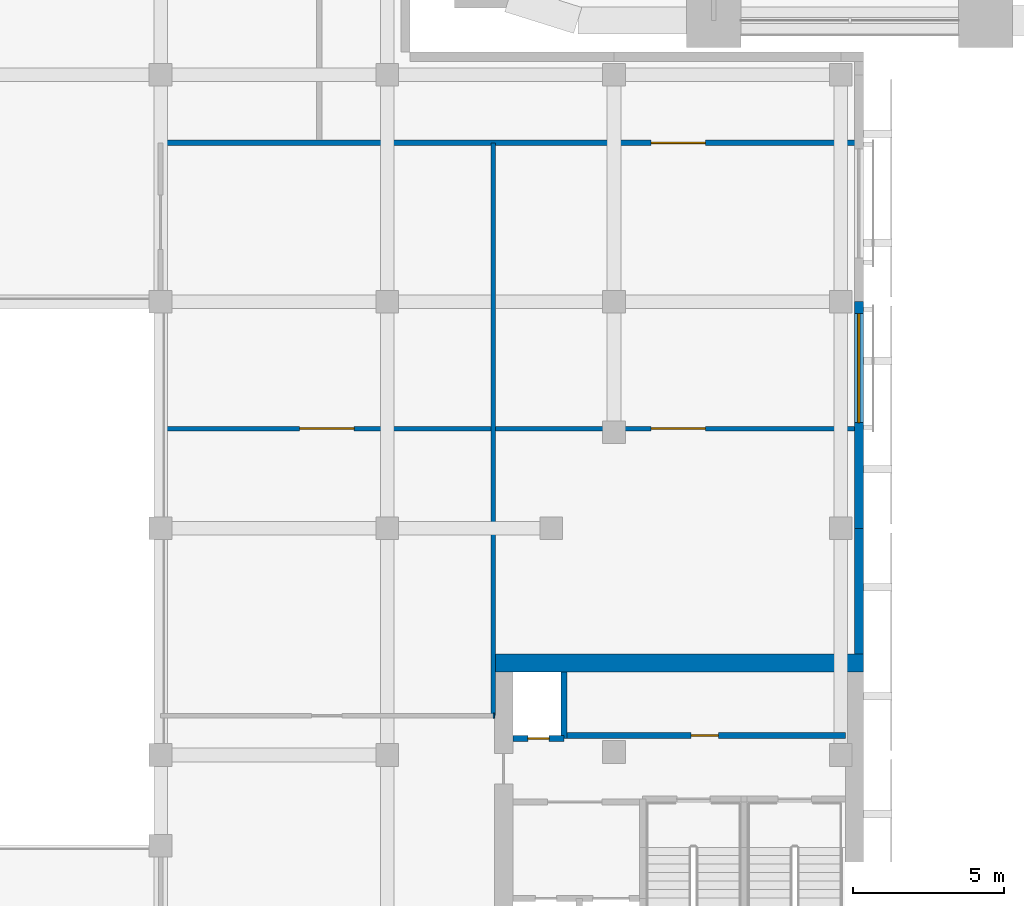
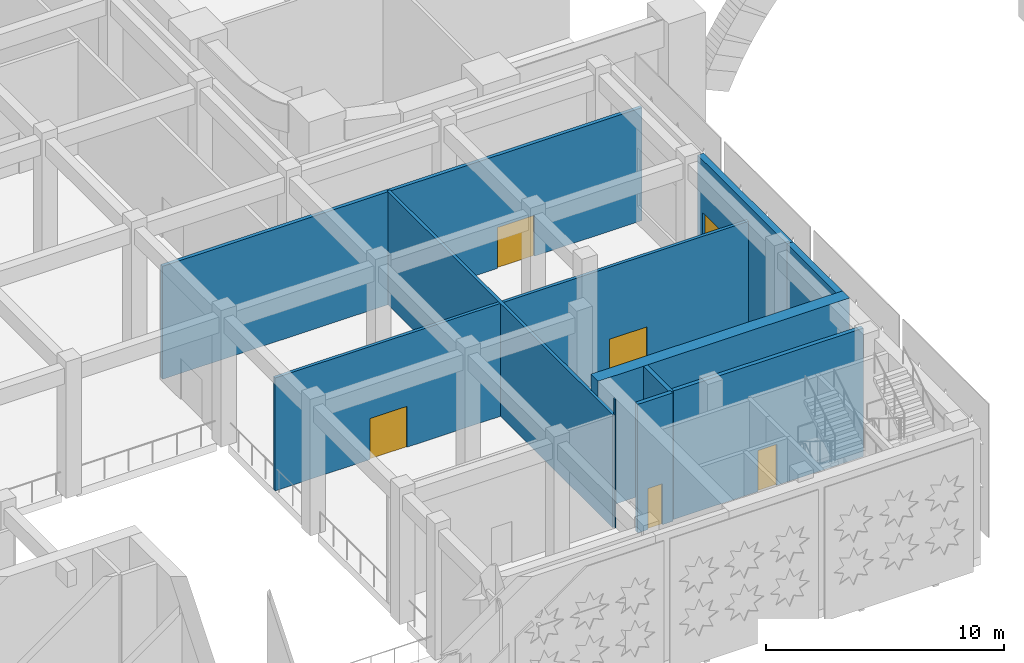
# One storey, part 16 of 42: 10 walls, 5 doors, 1 window, 6 openings.
"""IFC4 building model written with IfcOpenShell, lengths in metres."""

from ifc_helpers import new_model, si_unit, direction, frame, frame_2d, origin, place, context, subcontext, project, spatial, rectangle, extrude, material, layer, layer_set, type_object, element, fill, save


model = new_model("IFC4")

# Units and contexts
model_context = context("Model", 3, precision=1e-05, world=origin(), true_north=direction((0.0, 1.0)))
body_context = subcontext(model_context, "Body", "Model", "MODEL_VIEW")
ifc_project = project(units=[si_unit("LENGTHUNIT", "METRE"), si_unit("AREAUNIT", "SQUARE_METRE"), si_unit("VOLUMEUNIT", "CUBIC_METRE"), si_unit("PLANEANGLEUNIT", "RADIAN"), si_unit("MASSUNIT", "GRAM", prefix="KILO")], contexts=[model_context])

# Site, building, storey
site_placement = place(None, origin())
site = spatial("IfcSite", under=ifc_project, at=site_placement, CompositionType="ELEMENT")
building_placement = place(site_placement, origin())
building = spatial("IfcBuilding", under=site, at=building_placement, Name="Tessera Arch", CompositionType="ELEMENT")
storey_placement = place(building_placement, frame((0.0, 0.0, 14.0)))
storey = spatial("IfcBuildingStorey", under=building, at=storey_placement, Name="L02", CompositionType="ELEMENT", Elevation=14.0)

# Wall, opening, door
ifc_material_1 = material(Name="Gypsum board on steel stud", Category="steel")
ifc_layer_1 = layer(ifc_material_1, 0.125)
ifc_layer_set_1 = layer_set([ifc_layer_1], Name="Core partition 125 EI 60")
wall_type_1 = type_object("IfcWallType", Name="Core partition 125 EI 60", PredefinedType="PARTITIONING", material=ifc_layer_set_1)
wall_1_placement = place(storey_placement, frame((4.050048828125, -23.64990234375, 0.0), z_axis=(0.0, 0.0, 1.0), x_axis=(1.0, 0.0, 0.0)))
wall_1 = element("IfcWall", 1, at=wall_1_placement, inside=storey, type_object=wall_type_1, Name="L02 M3 partition wall 14", PredefinedType="PARTITIONING", context=body_context, shape_type="SweptSolid", body=[
    extrude(rectangle(XDim=9.300048828125, YDim=0.199951171875, at=frame_2d((4.64990234375, 0.0))), origin(), (0.0, 0.0, 1.0), 6.590087890625),
])
opening_1_placement = place(wall_1_placement, frame((4.199951171875, 0.0, 0.0)))
opening_1 = element("IfcOpeningElement", 2, at=opening_1_placement, cuts=wall_1, Name="Opening L02-C68", PredefinedType="OPENING", context=body_context, shape_type="SweptSolid", body=[
    extrude(rectangle(XDim=0.89990234375, YDim=2.10009765625, at=frame_2d((0.449951171875, 1.050048828125))), frame((0.0, 0.10986328125, 0.0), z_axis=(0.0, -1.0, 0.0), x_axis=(1.0, 0.0, 0.0)), (0.0, 0.0, 1.0), 0.219970703125),
])
ifc_material_2 = material(Name="Steel door leaf", Category="steel")
door_type_1 = type_object("IfcDoorType", Name="Store door FD30S 900 x 2100", OperationType="SINGLE_SWING_LEFT", PredefinedType="DOOR", material=ifc_material_2)
door_1_placement = place(opening_1_placement, origin())
door_1 = element("IfcDoor", 3, at=door_1_placement, inside=storey, type_object=door_type_1, Name="L02 M3 door 8 C68 type D09", OperationType="SINGLE_SWING_LEFT", OverallHeight=2.10009765625, OverallWidth=0.89990234375, PredefinedType="DOOR", context=body_context, shape_type="SweptSolid", body=[
    extrude(rectangle(XDim=0.89990234375, YDim=2.10009765625, at=frame_2d((0.449951171875, 1.050048828125))), frame((0.0, 0.02490234375, 0.0), z_axis=(0.0, -1.0, 0.0), x_axis=(1.0, 0.0, 0.0)), (0.0, 0.0, 1.0), 0.050048828125),
])
fill(opening_1, door_1)

# Wall
ifc_material_3 = material(Name="Concrete C70/85", Category="concrete")
ifc_layer_2 = layer(ifc_material_3, 0.60009765625)
ifc_layer_set_2 = layer_set([ifc_layer_2], Name="Core shell wall 600 C70-85")
wall_type_2 = type_object("IfcWallType", Name="Core shell wall 600 C70-85", PredefinedType="SHEAR", material=ifc_layer_set_2)
wall_2_placement = place(storey_placement, frame((1.75, -21.25, 0.0), z_axis=(0.0, 0.0, 1.0), x_axis=(1.0, 0.0, 0.0)))
element("IfcWall", 4, at=wall_2_placement, inside=storey, type_object=wall_type_2, Name="L02 M3 core wall N", PredefinedType="SHEAR", context=body_context, shape_type="SweptSolid", body=[
    extrude(rectangle(XDim=12.199951171875, YDim=0.60009765625, at=frame_2d((6.10009765625, 0.0))), origin(), (0.0, 0.0, 1.0), 6.590087890625),
])

# Wall, opening, door
ifc_material_4 = material(Name="Gypsum board on deep steel stud with mineral wool", Category="steel")
ifc_layer_3 = layer(ifc_material_4, 0.175048828125)
ifc_layer_set_3 = layer_set([ifc_layer_3], Name="Corridor wall 175 EI 60")
wall_type_3 = type_object("IfcWallType", Name="Corridor wall 175 EI 60", PredefinedType="PARTITIONING", material=ifc_layer_set_3)
wall_3_placement = place(storey_placement, frame((-9.300048828125, -4.050048828125, 0.0), z_axis=(0.0, 0.0, 1.0), x_axis=(1.0, 0.0, 0.0)))
wall_3 = element("IfcWall", 5, at=wall_3_placement, inside=storey, type_object=wall_type_3, Name="L02 partition 2", PredefinedType="PARTITIONING", context=body_context, shape_type="SweptSolid", body=[
    extrude(rectangle(XDim=23.25, YDim=0.175048828125, at=frame_2d((11.625, 0.0))), origin(), (0.0, 0.0, 1.0), 5.7900390625),
])
opening_2_placement = place(wall_3_placement, frame((16.22509765625, 0.0, 0.0)))
opening_2 = element("IfcOpeningElement", 6, at=opening_2_placement, cuts=wall_3, Name="Opening L02-D006", PredefinedType="OPENING", context=body_context, shape_type="SweptSolid", body=[
    extrude(rectangle(XDim=1.800048828125, YDim=2.10009765625, at=frame_2d((0.89990234375, 1.050048828125))), frame((0.0, 0.097412109375, 0.0), z_axis=(0.0, -1.0, 0.0), x_axis=(1.0, 0.0, 0.0)), (0.0, 0.0, 1.0), 0.195068359375),
])
ifc_material_5 = material(Name="Timber door leaf", Category="wood")
door_type_2 = type_object("IfcDoorType", Name="Double door 1800 x 2100", OperationType="DOUBLE_DOOR_SINGLE_SWING", PredefinedType="DOOR", material=ifc_material_5)
door_2_placement = place(opening_2_placement, origin())
door_2 = element("IfcDoor", 7, at=door_2_placement, inside=storey, type_object=door_type_2, Name="L02 door D006 type D13", OperationType="DOUBLE_DOOR_SINGLE_SWING", OverallHeight=2.10009765625, OverallWidth=1.800048828125, PredefinedType="DOOR", context=body_context, shape_type="SweptSolid", body=[
    extrude(rectangle(XDim=1.800048828125, YDim=2.10009765625, at=frame_2d((0.89990234375, 1.050048828125))), frame((0.0, 0.02490234375, 0.0), z_axis=(0.0, -1.0, 0.0), x_axis=(1.0, 0.0, 0.0)), (0.0, 0.0, 1.0), 0.050048828125),
])
fill(opening_2, door_2)

# Wall
ifc_material_6 = material(Name="Aluminium cladding pale metal anodised", Category="aluminium")
ifc_layer_4 = layer(ifc_material_6, 0.300048828125)
ifc_layer_set_4 = layer_set([ifc_layer_4], Name="Museum envelope wall pale metal")
wall_type_4 = type_object("IfcWallType", Name="Museum envelope wall pale metal", PredefinedType="SOLIDWALL", material=ifc_layer_set_4)
wall_4_placement = place(storey_placement, frame((13.800048828125, -20.949951171875, 0.0), z_axis=(0.0, 0.0, 1.0), x_axis=(0.0, 1.0, 0.0)))
element("IfcWall", 8, at=wall_4_placement, inside=storey, type_object=wall_type_4, Name="Museum external wall pale metal mashrabiya pattern", PredefinedType="SOLIDWALL", context=body_context, shape_type="SweptSolid", body=[
    extrude(rectangle(XDim=4.14990234375, YDim=0.300048828125, at=frame_2d((2.074951171875, 0.0))), origin(), (0.0, 0.0, 1.0), 6.590087890625),
])

# Wall, opening, window
wall_5_placement = place(storey_placement, frame((13.800048828125, -16.800048828125, 0.0), z_axis=(0.0, 0.0, 1.0), x_axis=(0.0, 1.0, 0.0)))
wall_5 = element("IfcWall", 9, at=wall_5_placement, inside=storey, type_object=wall_type_4, Name="Museum external wall pale metal mashrabiya pattern", PredefinedType="SOLIDWALL", context=body_context, shape_type="SweptSolid", body=[
    extrude(rectangle(XDim=7.5, YDim=0.300048828125, at=frame_2d((3.75, 0.0))), origin(), (0.0, 0.0, 1.0), 6.590087890625),
])
opening_3_placement = place(wall_5_placement, frame((3.5, 0.0, 0.89990234375)))
opening_3 = element("IfcOpeningElement", 10, at=opening_3_placement, cuts=wall_5, Name="Opening L02-MV28", PredefinedType="OPENING", context=body_context, shape_type="SweptSolid", body=[
    extrude(rectangle(XDim=3.60009765625, YDim=3.0, at=frame_2d((1.800048828125, 1.5))), frame((0.0, 0.159912109375, 0.0), z_axis=(0.0, -1.0, 0.0), x_axis=(1.0, 0.0, 0.0)), (0.0, 0.0, 1.0), 0.320068359375),
])
ifc_material_7 = material(Name="Clear low-e glass in aluminium frame", Category="aluminium")
window_type = type_object("IfcWindowType", Name="Museum window fixed clear glass", PartitioningType="SINGLE_PANEL", PredefinedType="WINDOW", material=ifc_material_7)
window_placement = place(opening_3_placement, origin())
window = element("IfcWindow", 11, at=window_placement, inside=storey, type_object=window_type, Name="Museum window L02 2-4", OverallHeight=3.0, OverallWidth=3.60009765625, PartitioningType="SINGLE_PANEL", PredefinedType="WINDOW", context=body_context, shape_type="SweptSolid", body=[
    extrude(rectangle(XDim=3.60009765625, YDim=3.0, at=frame_2d((1.800048828125, 1.5))), frame((0.0, 0.030029296875, 0.0), z_axis=(0.0, -1.0, 0.0), x_axis=(1.0, 0.0, 0.0)), (0.0, 0.0, 1.0), 0.06005859375),
])
fill(opening_3, window)

# Wall
ifc_material_8 = material(Name="Gypsum board on steel stud", Category="steel")
ifc_layer_5 = layer(ifc_material_8, 0.14990234375)
ifc_layer_set_5 = layer_set([ifc_layer_5], Name="Partition 150")
wall_type_5 = type_object("IfcWallType", Name="Partition 150", PredefinedType="PARTITIONING", material=ifc_layer_set_5)
wall_6_placement = place(storey_placement, frame((1.699951171875, -23.0, 0.0), z_axis=(0.0, 0.0, 1.0), x_axis=(1.0, 0.0, 0.0)))
element("IfcWall", 12, at=wall_6_placement, inside=storey, type_object=wall_type_5, Name="L02 partition 16", PredefinedType="PARTITIONING", context=body_context, shape_type="SweptSolid", body=[
    extrude(rectangle(XDim=0.050048828125, YDim=0.14990234375, at=frame_2d((0.02490234375, 0.0))), origin(), (0.0, 0.0, 1.0), 6.590087890625),
])

# Wall, openings, doors
wall_7_placement = place(storey_placement, frame((-9.300048828125, -13.5, 0.0), z_axis=(0.0, 0.0, 1.0), x_axis=(1.0, 0.0, 0.0)))
wall_7 = element("IfcWall", 13, at=wall_7_placement, inside=storey, type_object=wall_type_5, Name="L02 partition 18", PredefinedType="PARTITIONING", context=body_context, shape_type="SweptSolid", body=[
    extrude(rectangle(XDim=23.25, YDim=0.14990234375, at=frame_2d((11.625, 0.0))), origin(), (0.0, 0.0, 1.0), 5.7900390625),
])
opening_4_placement = place(wall_7_placement, frame((16.22509765625, 0.0, 0.0)))
opening_4 = element("IfcOpeningElement", 14, at=opening_4_placement, cuts=wall_7, Name="Opening L02-D007", PredefinedType="OPENING", context=body_context, shape_type="SweptSolid", body=[
    extrude(rectangle(XDim=1.800048828125, YDim=2.10009765625, at=frame_2d((0.89990234375, 1.050048828125))), frame((0.0, 0.0849609375, 0.0), z_axis=(0.0, -1.0, 0.0), x_axis=(1.0, 0.0, 0.0)), (0.0, 0.0, 1.0), 0.169921875),
])
opening_5_placement = place(wall_7_placement, frame((4.60009765625, 0.0, 0.0)))
opening_5 = element("IfcOpeningElement", 15, at=opening_5_placement, cuts=wall_7, Name="Opening L02-D010", PredefinedType="OPENING", context=body_context, shape_type="SweptSolid", body=[
    extrude(rectangle(XDim=1.800048828125, YDim=2.10009765625, at=frame_2d((0.89990234375, 1.050048828125))), frame((0.0, 0.0849609375, 0.0), z_axis=(0.0, -1.0, 0.0), x_axis=(1.0, 0.0, 0.0)), (0.0, 0.0, 1.0), 0.169921875),
])
door_3_placement = place(opening_4_placement, origin())
door_3 = element("IfcDoor", 16, at=door_3_placement, inside=storey, type_object=door_type_2, Name="L02 door D007 type D13", OperationType="DOUBLE_DOOR_SINGLE_SWING", OverallHeight=2.10009765625, OverallWidth=1.800048828125, PredefinedType="DOOR", context=body_context, shape_type="SweptSolid", body=[
    extrude(rectangle(XDim=1.800048828125, YDim=2.10009765625, at=frame_2d((0.89990234375, 1.050048828125))), frame((0.0, 0.02490234375, 0.0), z_axis=(0.0, -1.0, 0.0), x_axis=(1.0, 0.0, 0.0)), (0.0, 0.0, 1.0), 0.050048828125),
])
fill(opening_4, door_3)
door_4_placement = place(opening_5_placement, origin())
door_4 = element("IfcDoor", 17, at=door_4_placement, inside=storey, type_object=door_type_2, Name="L02 door D010 type D13", OperationType="DOUBLE_DOOR_SINGLE_SWING", OverallHeight=2.10009765625, OverallWidth=1.800048828125, PredefinedType="DOOR", context=body_context, shape_type="SweptSolid", body=[
    extrude(rectangle(XDim=1.800048828125, YDim=2.10009765625, at=frame_2d((0.89990234375, 1.050048828125))), frame((0.0, 0.02490234375, 0.0), z_axis=(0.0, -1.0, 0.0), x_axis=(1.0, 0.0, 0.0)), (0.0, 0.0, 1.0), 0.050048828125),
])
fill(opening_5, door_4)

# Walls
wall_8_placement = place(storey_placement, frame((1.699951171875, -23.0, 0.0), z_axis=(0.0, 0.0, 1.0), x_axis=(0.0, 1.0, 0.0)))
element("IfcWall", 18, at=wall_8_placement, inside=storey, type_object=wall_type_5, Name="L02 partition 23", PredefinedType="PARTITIONING", context=body_context, shape_type="SweptSolid", body=[
    extrude(rectangle(XDim=18.949951171875, YDim=0.14990234375, at=frame_2d((9.47509765625, 0.0))), origin(), (0.0, 0.0, 1.0), 5.7900390625),
])
ifc_material_9 = material(Name="Concrete C40/50", Category="concrete")
ifc_layer_6 = layer(ifc_material_9, 0.199951171875)
ifc_layer_set_6 = layer_set([ifc_layer_6], Name="Shaft wall 200 EI 120")
wall_type_6 = type_object("IfcWallType", Name="Shaft wall 200 EI 120", PredefinedType="SOLIDWALL", material=ifc_layer_set_6)
wall_9_placement = place(storey_placement, frame((4.050048828125, -23.75, 0.0), z_axis=(0.0, 0.0, 1.0), x_axis=(0.0, 1.0, 0.0)))
element("IfcWall", 19, at=wall_9_placement, inside=storey, type_object=wall_type_6, Name="L02 M3 shaft wall 1", PredefinedType="SOLIDWALL", context=body_context, shape_type="SweptSolid", body=[
    extrude(rectangle(XDim=2.199951171875, YDim=0.199951171875, at=frame_2d((1.10009765625, 0.0))), origin(), (0.0, 0.0, 1.0), 6.590087890625),
])

# Wall, opening, door
wall_10_placement = place(storey_placement, frame((2.35009765625, -23.75, 0.0), z_axis=(0.0, 0.0, 1.0), x_axis=(1.0, 0.0, 0.0)))
wall_10 = element("IfcWall", 20, at=wall_10_placement, inside=storey, type_object=wall_type_6, Name="L02 M3 shaft wall 15", PredefinedType="SOLIDWALL", context=body_context, shape_type="SweptSolid", body=[
    extrude(rectangle(XDim=1.699951171875, YDim=0.199951171875, at=frame_2d((0.85009765625, 0.0))), origin(), (0.0, 0.0, 1.0), 6.590087890625),
])
opening_6_placement = place(wall_10_placement, frame((0.5, 0.0, 0.0)))
opening_6 = element("IfcOpeningElement", 21, at=opening_6_placement, cuts=wall_10, Name="Opening L02-C65", PredefinedType="OPENING", context=body_context, shape_type="SweptSolid", body=[
    extrude(rectangle(XDim=0.699951171875, YDim=2.10009765625, at=frame_2d((0.35009765625, 1.050048828125))), frame((0.0, 0.10986328125, 0.0), z_axis=(0.0, -1.0, 0.0), x_axis=(1.0, 0.0, 0.0)), (0.0, 0.0, 1.0), 0.219970703125),
])
ifc_material_10 = material(Name="Steel door leaf", Category="steel")
door_type_3 = type_object("IfcDoorType", Name="Service shaft door FD60 700 x 2100", OperationType="SINGLE_SWING_LEFT", PredefinedType="DOOR", material=ifc_material_10)
door_5_placement = place(opening_6_placement, origin())
door_5 = element("IfcDoor", 22, at=door_5_placement, inside=storey, type_object=door_type_3, Name="L02 M3 door 5 C65 type D07", OperationType="SINGLE_SWING_RIGHT", OverallHeight=2.10009765625, OverallWidth=0.699951171875, PredefinedType="DOOR", context=body_context, shape_type="SweptSolid", body=[
    extrude(rectangle(XDim=0.699951171875, YDim=2.10009765625, at=frame_2d((0.35009765625, 1.050048828125))), frame((0.0, 0.02490234375, 0.0), z_axis=(0.0, -1.0, 0.0), x_axis=(1.0, 0.0, 0.0)), (0.0, 0.0, 1.0), 0.050048828125),
])
fill(opening_6, door_5)

save(model, "model.ifc")
